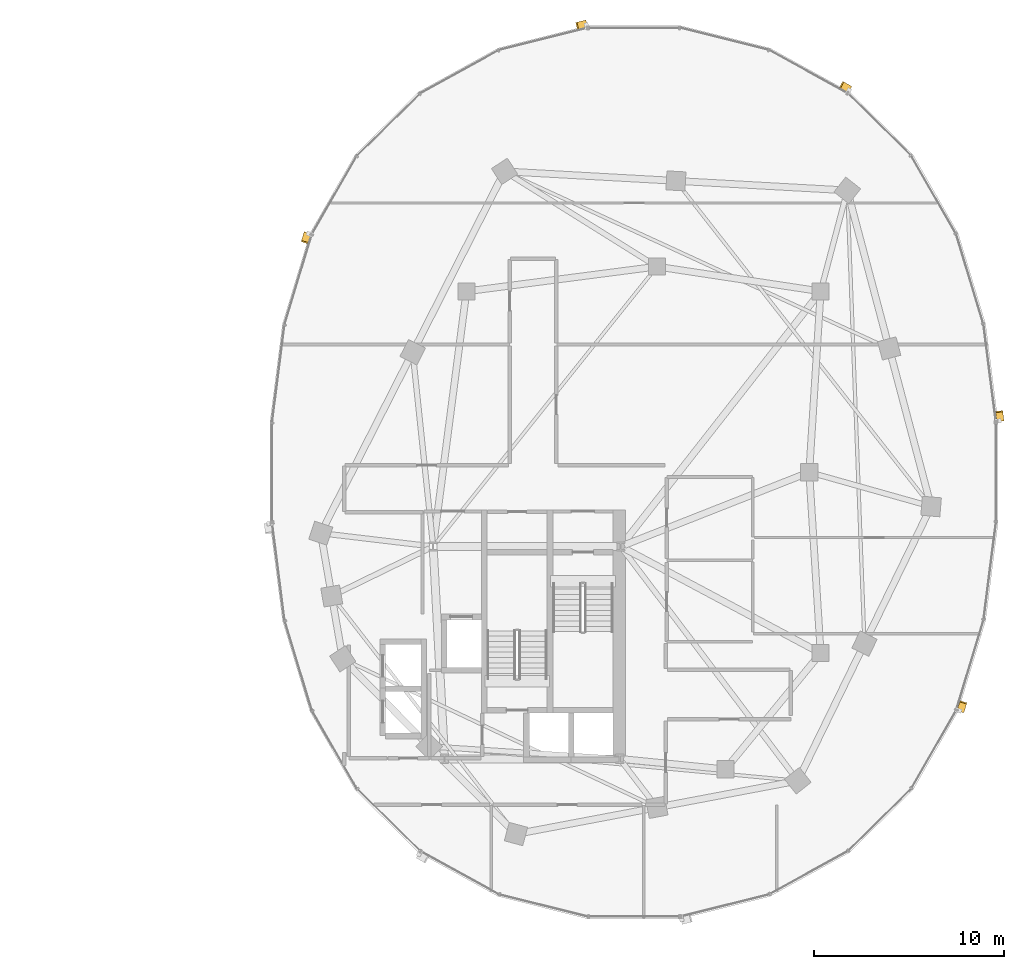
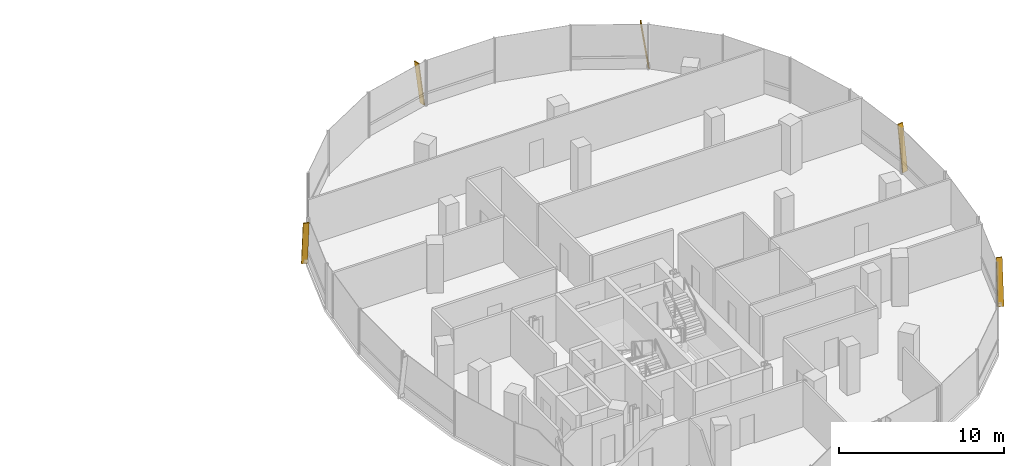
# One storey, part 23 of 23: 5 shading devices.
"""IFC4 building model written with IfcOpenShell, lengths in metres."""

from ifc_helpers import new_model, si_unit, direction, frame, origin, origin_2d, place, context, subcontext, project, spatial, rectangle, extrude, material, material_profile, profile_set, type_object, element, save


model = new_model("IFC4")

# Units and contexts
model_context = context("Model", 3, precision=1e-05, world=origin(), true_north=direction((0.0, 1.0)))
body_context = subcontext(model_context, "Body", "Model", "MODEL_VIEW")
ifc_project = project(units=[si_unit("LENGTHUNIT", "METRE"), si_unit("AREAUNIT", "SQUARE_METRE"), si_unit("VOLUMEUNIT", "CUBIC_METRE"), si_unit("PLANEANGLEUNIT", "RADIAN"), si_unit("MASSUNIT", "GRAM", prefix="KILO"), si_unit("THERMODYNAMICTEMPERATUREUNIT", "KELVIN"), si_unit("POWERUNIT", "WATT")], contexts=[model_context])

# Site, building, storey
site_placement = place(None, origin())
site = spatial("IfcSite", under=ifc_project, at=site_placement, CompositionType="ELEMENT")
building_placement = place(site_placement, origin())
building = spatial("IfcBuilding", under=site, at=building_placement, Name="Cundina Bronze Exchange", CompositionType="ELEMENT")
storey_placement = place(building_placement, frame((0.0, 0.0, 172.800048828125)))
storey = spatial("IfcBuildingStorey", under=building, at=storey_placement, Name="L45", CompositionType="ELEMENT", Elevation=172.800048828125)

# Shading devices
ifc_material = material(Name="Anodised Bronze Aluminium 6063-T6", Category="aluminium")
ifc_material_profile = material_profile(ifc_material, rectangle(XDim=0.070068359375, YDim=0.3798828125, at=origin_2d()), Name="FIN70X380", Category="aluminium")
ifc_profile_set = profile_set([ifc_material_profile], Name="Anodised Bronze Aluminium 6063-T6")
shading_device_type = type_object("IfcShadingDeviceType", Name="SHD-FIN-BRZ380", PredefinedType="USERDEFINED", material=ifc_profile_set)
for number, where, z_axis, x_axis, name in (
    (1, (51.23486328125, 2.705810546875, 0.02001953125), (-0.018123110499, 0.141927973785, 0.989711070527), (0.125360600332, -0.981739641151, 0.143080386066), "L45 Diagonal Bronze Solar Fin 1"),
    (2, (43.320068359375, 20.11181640625, 0.02001953125), (-0.125333488691, 0.068998924088, 0.989712415345), (0.867010347902, -0.477308832643, 0.143071083426), "L45 Diagonal Bronze Solar Fin 5"),
    (3, (29.48046875, 23.556396484375, 0.02001953125), (-0.138798398751, -0.034717795597, 0.989711917263), (0.960131970194, 0.240158861973, 0.143074528925), "L45 Diagonal Bronze Solar Fin 1"),
    (4, (14.848876953125, 12.5439453125, 0.02001953125), (-0.041486383227, -0.136977847776, 0.989704980904), (0.286882071994, 0.94721413946, 0.143122502684), "L45 Diagonal Bronze Solar Fin 5"),
    (5, (49.151123046875, -12.5439453125, 0.02001953125), (0.041486383227, 0.136977847776, 0.989704980904), (-0.286882071994, -0.94721413946, 0.143122502684), "L45 Diagonal Bronze Solar Fin 5"),
):
    element("IfcShadingDevice", number, at=place(storey_placement, frame(where, z_axis=z_axis, x_axis=x_axis)), inside=storey, type_object=shading_device_type, Name=name, ObjectType="FIN", PredefinedType="USERDEFINED", context=body_context, shape_type="SweptSolid", body=[
        extrude(rectangle(XDim=0.070068359375, YDim=0.3798828125, at=origin_2d()), origin(), (0.0, 0.0, 1.0), 3.354248046875),
    ])

save(model, "model.ifc")
